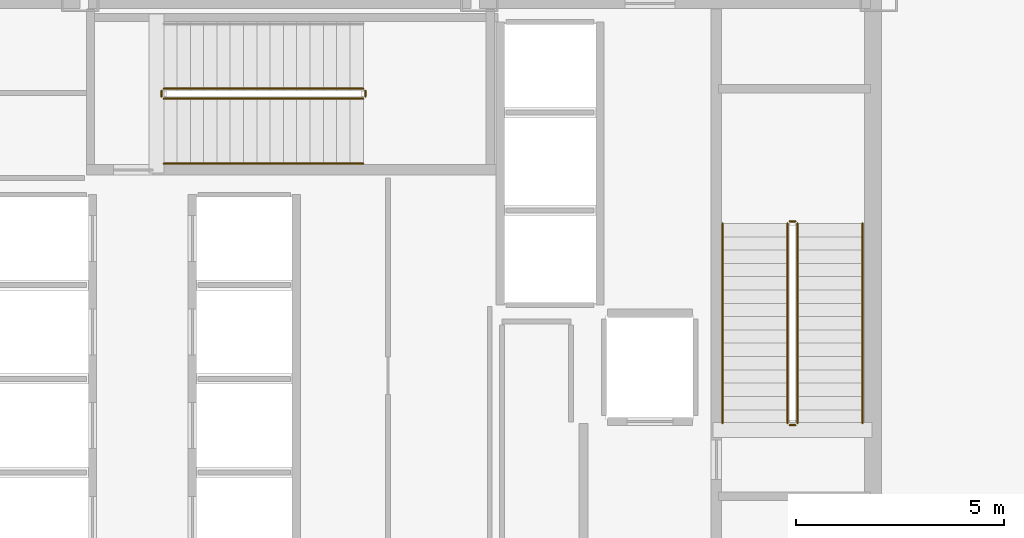
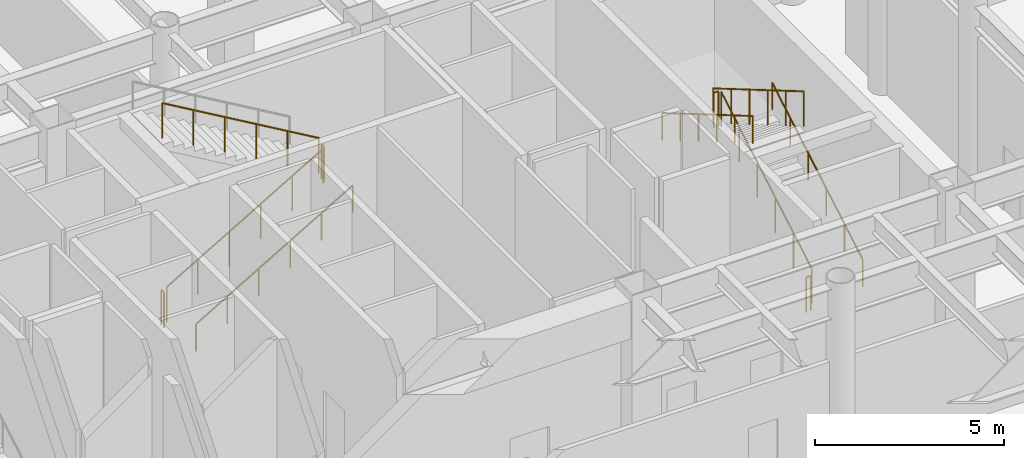
# One storey, part 25 of 26: 11 railings.
"""IFC4 building model written with IfcOpenShell, lengths in metres."""

from ifc_helpers import new_model, si_unit, direction, frame, origin, origin_2d, place, context, subcontext, project, spatial, circle, extrude, material, layer, layer_set, type_object, element, save


model = new_model("IFC4")

# Units and contexts
model_context = context("Model", 3, precision=1e-05, world=origin(), true_north=direction((0.0, 1.0)))
body_context = subcontext(model_context, "Body", "Model", "MODEL_VIEW")
ifc_project = project(units=[si_unit("LENGTHUNIT", "METRE"), si_unit("AREAUNIT", "SQUARE_METRE"), si_unit("VOLUMEUNIT", "CUBIC_METRE"), si_unit("PLANEANGLEUNIT", "RADIAN"), si_unit("MASSUNIT", "GRAM", prefix="KILO")], contexts=[model_context])

# Site, building, storey
site_placement = place(None, origin())
site = spatial("IfcSite", under=ifc_project, at=site_placement, CompositionType="ELEMENT")
building_placement = place(site_placement, origin())
building = spatial("IfcBuilding", under=site, at=building_placement, Name="Kallvorn Hotel Tower", CompositionType="ELEMENT")
storey_placement = place(building_placement, frame((0.0, 0.0, 6.0)))
storey = spatial("IfcBuildingStorey", under=building, at=storey_placement, Name="L01", CompositionType="ELEMENT", Elevation=6.0)

# Railings
ifc_material_1 = material(Name="Brushed stainless-steel tubular railing", Category="steel")
ifc_layer_1 = layer(ifc_material_1, 0.050048828125)
ifc_layer_set_1 = layer_set([ifc_layer_1], Name="RL_STAIR_GUARD")
railing_type_1 = type_object("IfcRailingType", Name="RL_STAIR_GUARD", PredefinedType="GUARDRAIL", material=ifc_layer_set_1)
railing_1_placement = place(storey_placement, frame((12.449951171875, -3.139892578125, 0.1875)))
element("IfcRailing", 1, at=railing_1_placement, inside=storey, type_object=railing_type_1, Name="L01 ST2 stair guard 1", PredefinedType="GUARDRAIL", context=body_context, shape_type="SweptSolid", body=[
    extrude(circle(Radius=0.02392578125, at=origin_2d()), frame((0.0, 0.0, 1.1259765625), z_axis=(0.0, 0.862790387251, 0.505561813893), x_axis=(-1.0, 0.0, 0.0)), (0.0, 0.0, 1.0), 5.563232421875),
    extrude(circle(Radius=0.02099609375, at=origin_2d()), origin(), (0.0, 0.0, 1.0), 1.101806640625),
    extrude(circle(Radius=0.02099609375, at=origin_2d()), frame((0.0, 0.9599609375, 0.5625)), (0.0, 0.0, 1.0), 1.101806640625),
    extrude(circle(Radius=0.02099609375, at=origin_2d()), frame((0.0, 1.919921875, 1.125)), (0.0, 0.0, 1.0), 1.101806640625),
    extrude(circle(Radius=0.02099609375, at=origin_2d()), frame((0.0, 2.8798828125, 1.6875)), (0.0, 0.0, 1.0), 1.101806640625),
    extrude(circle(Radius=0.02099609375, at=origin_2d()), frame((0.0, 3.83984375, 2.25)), (0.0, 0.0, 1.0), 1.101806640625),
    extrude(circle(Radius=0.02099609375, at=origin_2d()), frame((0.0, 4.7998046875, 2.8125)), (0.0, 0.0, 1.0), 1.101806640625),
])
railing_2_placement = place(storey_placement, frame((12.39990234375, 1.7099609375, 3.0)))
element("IfcRailing", 2, at=railing_2_placement, inside=storey, type_object=railing_type_1, Name="L01 ST2 stair guard 2", PredefinedType="GUARDRAIL", context=body_context, shape_type="SweptSolid", body=[
    extrude(circle(Radius=0.02392578125, at=origin_2d()), frame((0.0, 0.0, 1.1259765625), z_axis=(-1.0, 0.0, 0.0), x_axis=(0.0, -1.0, 0.0)), (0.0, 0.0, 1.0), 0.139892578125),
    extrude(circle(Radius=0.02099609375, at=origin_2d()), origin(), (0.0, 0.0, 1.0), 1.101806640625),
    extrude(circle(Radius=0.02099609375, at=origin_2d()), frame((-0.139892578125, 0.0, 0.0)), (0.0, 0.0, 1.0), 1.101806640625),
])
railing_3_placement = place(storey_placement, frame((12.2099609375, 1.659912109375, 3.1875)))
element("IfcRailing", 3, at=railing_3_placement, inside=storey, type_object=railing_type_1, Name="L01 ST2 stair guard 3", PredefinedType="GUARDRAIL", context=body_context, shape_type="SweptSolid", body=[
    extrude(circle(Radius=0.02392578125, at=origin_2d()), frame((0.0, 0.0, 1.1259765625), z_axis=(0.0, -0.862790387251, 0.505561813893), x_axis=(1.0, 0.0, 0.0)), (0.0, 0.0, 1.0), 5.563232421875),
    extrude(circle(Radius=0.02099609375, at=origin_2d()), origin(), (0.0, 0.0, 1.0), 1.101806640625),
    extrude(circle(Radius=0.02099609375, at=origin_2d()), frame((0.0, -0.9599609375, 0.5625)), (0.0, 0.0, 1.0), 1.101806640625),
    extrude(circle(Radius=0.02099609375, at=origin_2d()), frame((0.0, -1.919921875, 1.125)), (0.0, 0.0, 1.0), 1.101806640625),
    extrude(circle(Radius=0.02099609375, at=origin_2d()), frame((0.0, -2.8798828125, 1.6875)), (0.0, 0.0, 1.0), 1.101806640625),
    extrude(circle(Radius=0.02099609375, at=origin_2d()), frame((0.0, -3.83984375, 2.25)), (0.0, 0.0, 1.0), 1.101806640625),
    extrude(circle(Radius=0.02099609375, at=origin_2d()), frame((0.0, -4.7998046875, 2.8125)), (0.0, 0.0, 1.0), 1.101806640625),
])
railing_4_placement = place(storey_placement, frame((12.39990234375, -3.18994140625, 0.0)))
element("IfcRailing", 4, at=railing_4_placement, inside=storey, type_object=railing_type_1, Name="L01 ST2 stair guard 4", PredefinedType="GUARDRAIL", context=body_context, shape_type="SweptSolid", body=[
    extrude(circle(Radius=0.02392578125, at=origin_2d()), frame((0.0, 0.0, 1.1259765625), z_axis=(-1.0, 0.0, 0.0), x_axis=(0.0, -1.0, 0.0)), (0.0, 0.0, 1.0), 0.139892578125),
    extrude(circle(Radius=0.02099609375, at=origin_2d()), origin(), (0.0, 0.0, 1.0), 1.101806640625),
    extrude(circle(Radius=0.02099609375, at=origin_2d()), frame((-0.139892578125, 0.0, 0.0)), (0.0, 0.0, 1.0), 1.101806640625),
])
railing_5_placement = place(storey_placement, frame((-2.7900390625, 4.659912109375, 0.1875)))
element("IfcRailing", 5, at=railing_5_placement, inside=storey, type_object=railing_type_1, Name="L01 ST3 stair guard 1", PredefinedType="GUARDRAIL", context=body_context, shape_type="SweptSolid", body=[
    extrude(circle(Radius=0.02392578125, at=origin_2d()), frame((0.0, 0.0, 1.1259765625), z_axis=(0.862801603449, 0.0, 0.505542671875), x_axis=(0.0, 1.0, 0.0)), (0.0, 0.0, 1.0), 5.563232421875),
    extrude(circle(Radius=0.02099609375, at=origin_2d()), origin(), (0.0, 0.0, 1.0), 1.101806640625),
    extrude(circle(Radius=0.02099609375, at=origin_2d()), frame((0.9599609375, 0.0, 0.5625)), (0.0, 0.0, 1.0), 1.101806640625),
    extrude(circle(Radius=0.02099609375, at=origin_2d()), frame((1.919921875, 0.0, 1.125)), (0.0, 0.0, 1.0), 1.101806640625),
    extrude(circle(Radius=0.02099609375, at=origin_2d()), frame((2.880126953125, 0.0, 1.6875)), (0.0, 0.0, 1.0), 1.101806640625),
    extrude(circle(Radius=0.02099609375, at=origin_2d()), frame((3.840087890625, 0.0, 2.25)), (0.0, 0.0, 1.0), 1.101806640625),
    extrude(circle(Radius=0.02099609375, at=origin_2d()), frame((4.800048828125, 0.0, 2.8125)), (0.0, 0.0, 1.0), 1.101806640625),
])
railing_6_placement = place(storey_placement, frame((2.06005859375, 4.7099609375, 3.0)))
element("IfcRailing", 6, at=railing_6_placement, inside=storey, type_object=railing_type_1, Name="L01 ST3 stair guard 2", PredefinedType="GUARDRAIL", context=body_context, shape_type="SweptSolid", body=[
    extrude(circle(Radius=0.02392578125, at=origin_2d()), frame((0.0, 0.0, 1.1259765625), z_axis=(0.0, 1.0, 0.0), x_axis=(-1.0, 0.0, 0.0)), (0.0, 0.0, 1.0), 0.14013671875),
    extrude(circle(Radius=0.02099609375, at=origin_2d()), origin(), (0.0, 0.0, 1.0), 1.101806640625),
    extrude(circle(Radius=0.02099609375, at=origin_2d()), frame((0.0, 0.14013671875, 0.0)), (0.0, 0.0, 1.0), 1.101806640625),
])
railing_7_placement = place(storey_placement, frame((2.010009765625, 4.89990234375, 3.1875)))
element("IfcRailing", 7, at=railing_7_placement, inside=storey, type_object=railing_type_1, Name="L01 ST3 stair guard 3", PredefinedType="GUARDRAIL", context=body_context, shape_type="SweptSolid", body=[
    extrude(circle(Radius=0.02392578125, at=origin_2d()), frame((0.0, 0.0, 1.1259765625), z_axis=(-0.862801603449, 0.0, 0.505542671875), x_axis=(0.0, -1.0, 0.0)), (0.0, 0.0, 1.0), 5.563232421875),
    extrude(circle(Radius=0.02099609375, at=origin_2d()), origin(), (0.0, 0.0, 1.0), 1.101806640625),
    extrude(circle(Radius=0.02099609375, at=origin_2d()), frame((-0.9599609375, 0.0, 0.5625)), (0.0, 0.0, 1.0), 1.101806640625),
    extrude(circle(Radius=0.02099609375, at=origin_2d()), frame((-1.919921875, 0.0, 1.125)), (0.0, 0.0, 1.0), 1.101806640625),
    extrude(circle(Radius=0.02099609375, at=origin_2d()), frame((-2.880126953125, 0.0, 1.6875)), (0.0, 0.0, 1.0), 1.101806640625),
    extrude(circle(Radius=0.02099609375, at=origin_2d()), frame((-3.840087890625, 0.0, 2.25)), (0.0, 0.0, 1.0), 1.101806640625),
    extrude(circle(Radius=0.02099609375, at=origin_2d()), frame((-4.800048828125, 0.0, 2.8125)), (0.0, 0.0, 1.0), 1.101806640625),
])
railing_8_placement = place(storey_placement, frame((-2.840087890625, 4.7099609375, 0.0)))
element("IfcRailing", 8, at=railing_8_placement, inside=storey, type_object=railing_type_1, Name="L01 ST3 stair guard 4", PredefinedType="GUARDRAIL", context=body_context, shape_type="SweptSolid", body=[
    extrude(circle(Radius=0.02392578125, at=origin_2d()), frame((0.0, 0.0, 1.1259765625), z_axis=(0.0, 1.0, 0.0), x_axis=(-1.0, 0.0, 0.0)), (0.0, 0.0, 1.0), 0.14013671875),
    extrude(circle(Radius=0.02099609375, at=origin_2d()), origin(), (0.0, 0.0, 1.0), 1.101806640625),
    extrude(circle(Radius=0.02099609375, at=origin_2d()), frame((0.0, 0.14013671875, 0.0)), (0.0, 0.0, 1.0), 1.101806640625),
])
ifc_material_2 = material(Name="Brushed stainless-steel tubular railing", Category="steel")
ifc_layer_2 = layer(ifc_material_2, 0.050048828125)
ifc_layer_set_2 = layer_set([ifc_layer_2], Name="RL_STAIR_HAND")
railing_type_2 = type_object("IfcRailingType", Name="RL_STAIR_HAND", PredefinedType="HANDRAIL", material=ifc_layer_set_2)
railing_9_placement = place(storey_placement, frame((14.010009765625, -3.139892578125, 0.1875)))
element("IfcRailing", 9, at=railing_9_placement, inside=storey, type_object=railing_type_2, Name="L01 ST2 stair handrail 1", PredefinedType="HANDRAIL", context=body_context, shape_type="SweptSolid", body=[
    extrude(circle(Radius=0.02392578125, at=origin_2d()), frame((0.0, 0.0, 0.8759765625), z_axis=(0.0, 0.862790387251, 0.505561813893), x_axis=(-1.0, 0.0, 0.0)), (0.0, 0.0, 1.0), 5.563232421875),
    extrude(circle(Radius=0.02099609375, at=origin_2d()), origin(), (0.0, 0.0, 1.0), 0.851806640625),
    extrude(circle(Radius=0.02099609375, at=origin_2d()), frame((0.0, 0.9599609375, 0.5625)), (0.0, 0.0, 1.0), 0.851806640625),
    extrude(circle(Radius=0.02099609375, at=origin_2d()), frame((0.0, 1.919921875, 1.125)), (0.0, 0.0, 1.0), 0.851806640625),
    extrude(circle(Radius=0.02099609375, at=origin_2d()), frame((0.0, 2.8798828125, 1.6875)), (0.0, 0.0, 1.0), 0.851806640625),
    extrude(circle(Radius=0.02099609375, at=origin_2d()), frame((0.0, 3.83984375, 2.25)), (0.0, 0.0, 1.0), 0.851806640625),
    extrude(circle(Radius=0.02099609375, at=origin_2d()), frame((0.0, 4.7998046875, 2.8125)), (0.0, 0.0, 1.0), 0.851806640625),
])
railing_10_placement = place(storey_placement, frame((10.64990234375, 1.659912109375, 3.1875)))
element("IfcRailing", 10, at=railing_10_placement, inside=storey, type_object=railing_type_2, Name="L01 ST2 stair handrail 2", PredefinedType="HANDRAIL", context=body_context, shape_type="SweptSolid", body=[
    extrude(circle(Radius=0.02392578125, at=origin_2d()), frame((0.0, 0.0, 0.8759765625), z_axis=(0.0, -0.862790387251, 0.505561813893), x_axis=(1.0, 0.0, 0.0)), (0.0, 0.0, 1.0), 5.563232421875),
    extrude(circle(Radius=0.02099609375, at=origin_2d()), origin(), (0.0, 0.0, 1.0), 0.851806640625),
    extrude(circle(Radius=0.02099609375, at=origin_2d()), frame((0.0, -0.9599609375, 0.5625)), (0.0, 0.0, 1.0), 0.851806640625),
    extrude(circle(Radius=0.02099609375, at=origin_2d()), frame((0.0, -1.919921875, 1.125)), (0.0, 0.0, 1.0), 0.851806640625),
    extrude(circle(Radius=0.02099609375, at=origin_2d()), frame((0.0, -2.8798828125, 1.6875)), (0.0, 0.0, 1.0), 0.851806640625),
    extrude(circle(Radius=0.02099609375, at=origin_2d()), frame((0.0, -3.83984375, 2.25)), (0.0, 0.0, 1.0), 0.851806640625),
    extrude(circle(Radius=0.02099609375, at=origin_2d()), frame((0.0, -4.7998046875, 2.8125)), (0.0, 0.0, 1.0), 0.851806640625),
])
railing_11_placement = place(storey_placement, frame((-2.7900390625, 3.10009765625, 0.1875)))
element("IfcRailing", 11, at=railing_11_placement, inside=storey, type_object=railing_type_2, Name="L01 ST3 stair handrail 1", PredefinedType="HANDRAIL", context=body_context, shape_type="SweptSolid", body=[
    extrude(circle(Radius=0.02392578125, at=origin_2d()), frame((0.0, 0.0, 0.8759765625), z_axis=(0.862801603449, 0.0, 0.505542671875), x_axis=(0.0, 1.0, 0.0)), (0.0, 0.0, 1.0), 5.563232421875),
    extrude(circle(Radius=0.02099609375, at=origin_2d()), origin(), (0.0, 0.0, 1.0), 0.851806640625),
    extrude(circle(Radius=0.02099609375, at=origin_2d()), frame((0.9599609375, 0.0, 0.5625)), (0.0, 0.0, 1.0), 0.851806640625),
    extrude(circle(Radius=0.02099609375, at=origin_2d()), frame((1.919921875, 0.0, 1.125)), (0.0, 0.0, 1.0), 0.851806640625),
    extrude(circle(Radius=0.02099609375, at=origin_2d()), frame((2.880126953125, 0.0, 1.6875)), (0.0, 0.0, 1.0), 0.851806640625),
    extrude(circle(Radius=0.02099609375, at=origin_2d()), frame((3.840087890625, 0.0, 2.25)), (0.0, 0.0, 1.0), 0.851806640625),
    extrude(circle(Radius=0.02099609375, at=origin_2d()), frame((4.800048828125, 0.0, 2.8125)), (0.0, 0.0, 1.0), 0.851806640625),
])

save(model, "model.ifc")
